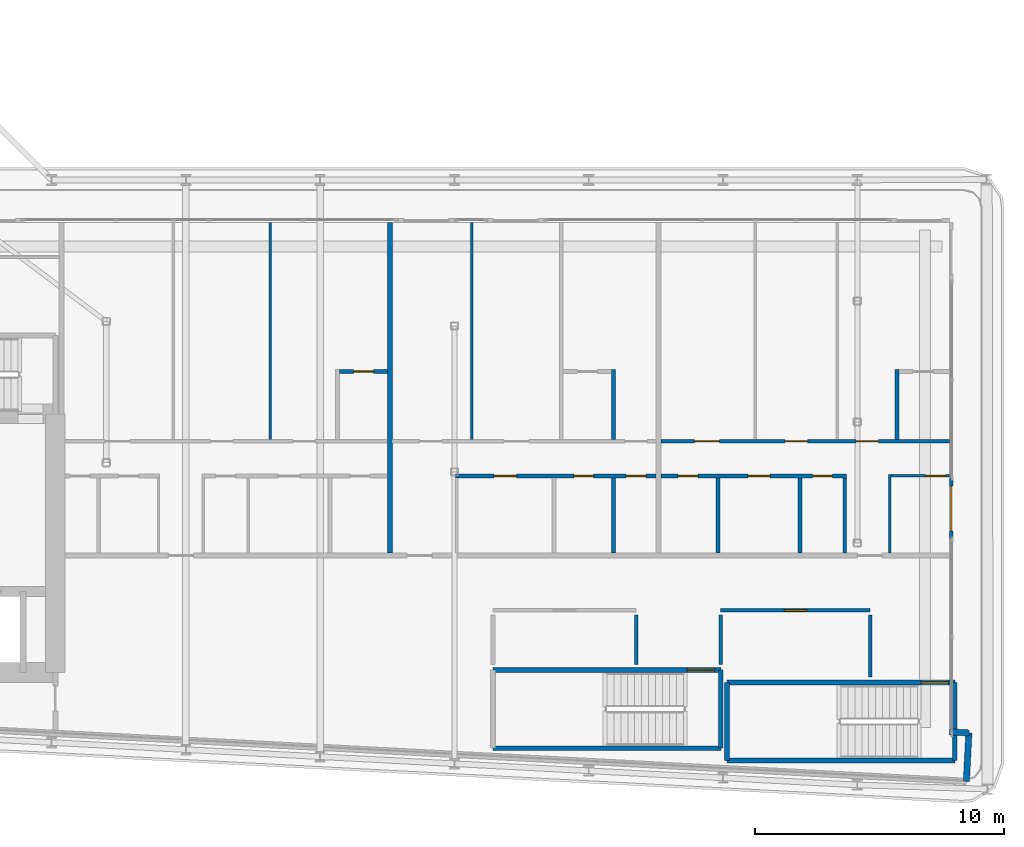
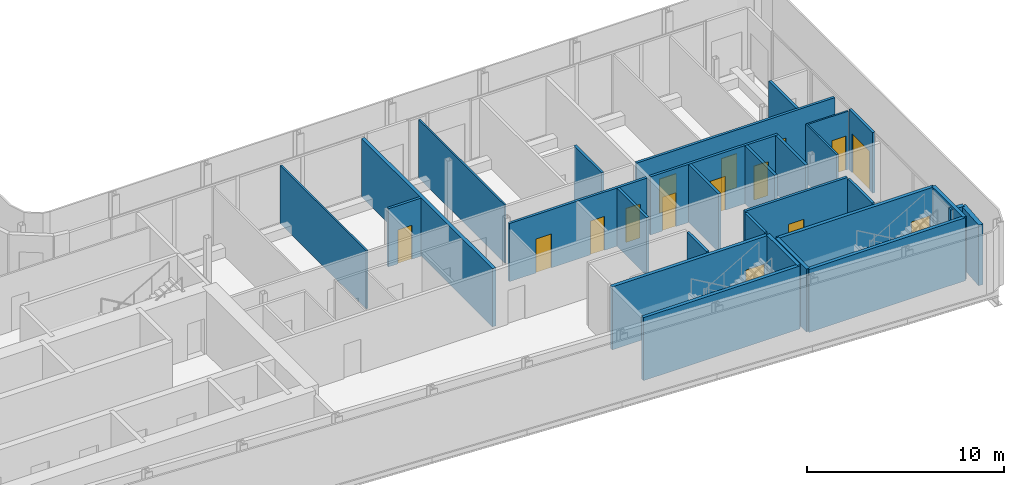
# One storey, part 13 of 24: 29 walls, 15 doors, 15 openings.
"""IFC4 building model written with IfcOpenShell, lengths in metres."""

from ifc_helpers import new_model, si_unit, direction, frame, frame_2d, origin, place, context, subcontext, project, spatial, rectangle, extrude, source, transform, mapped, material, layer, layer_set, type_object, element, fill, save


model = new_model("IFC4")

# Units and contexts
model_context = context("Model", 3, precision=1e-05, world=origin(), true_north=direction((0.0, 1.0)))
body_context = subcontext(model_context, "Body", "Model", "MODEL_VIEW")
ifc_project = project(units=[si_unit("LENGTHUNIT", "METRE"), si_unit("AREAUNIT", "SQUARE_METRE"), si_unit("VOLUMEUNIT", "CUBIC_METRE"), si_unit("PLANEANGLEUNIT", "RADIAN"), si_unit("MASSUNIT", "GRAM", prefix="KILO")], contexts=[model_context])

# Site, building, storey
site_placement = place(None, origin())
site = spatial("IfcSite", under=ifc_project, at=site_placement, CompositionType="ELEMENT")
building_placement = place(site_placement, origin())
building = spatial("IfcBuilding", under=site, at=building_placement, Name="Kheshtan School and Residences Tower", CompositionType="ELEMENT")
storey_placement = place(building_placement, frame((0.0, 0.0, 160.39990234375)))
storey = spatial("IfcBuildingStorey", under=building, at=storey_placement, Name="L37", CompositionType="ELEMENT", Elevation=160.39990234375)

# Walls
ifc_material_1 = material(Name="Concrete C40/50 with ceramic cladding and mineral wool insulation", Category="concrete")
ifc_layer_1 = layer(ifc_material_1, 0.25)
ifc_layer_set_1 = layer_set([ifc_layer_1], Name="External wall 250 ceramic clad")
wall_type_1 = type_object("IfcWallType", Name="External wall 250 ceramic clad", PredefinedType="SOLIDWALL", material=ifc_layer_set_1)
wall_1_placement = place(storey_placement, frame((89.10693359375, 23.407958984375, 0.0), z_axis=(0.0, 0.0, 1.0), x_axis=(0.998561284263, -0.053622398031, 0.0)))
element("IfcWall", 1, at=wall_1_placement, inside=storey, type_object=wall_type_1, Name="External wall L37 14", PredefinedType="SOLIDWALL", context=body_context, shape_type="SweptSolid", body=[
    extrude(rectangle(XDim=0.783203125, YDim=0.25, at=frame_2d((0.3916015625, 0.0))), origin(), (0.0, 0.0, 1.0), 3.75),
])
wall_2_placement = place(storey_placement, frame((89.888916015625, 23.365966796875, 0.0), z_axis=(0.0, 0.0, 1.0), x_axis=(-0.052841433274, -0.998602915542, 0.0)))
element("IfcWall", 2, at=wall_2_placement, inside=storey, type_object=wall_type_1, Name="External wall L37 15", PredefinedType="SOLIDWALL", context=body_context, shape_type="SweptSolid", body=[
    extrude(rectangle(XDim=1.94970703125, YDim=0.25, at=frame_2d((0.974853515625, 0.0))), origin(), (0.0, 0.0, 1.0), 3.75),
])

# Wall, opening, door
ifc_material_2 = material(Name="Aluminium frame wall with insulated infill", Category="aluminium")
ifc_layer_2 = layer(ifc_material_2, 0.14990234375)
ifc_layer_set_2 = layer_set([ifc_layer_2], Name="Glazing frame wall 150")
wall_type_2 = type_object("IfcWallType", Name="Glazing frame wall 150", PredefinedType="SOLIDWALL", material=ifc_layer_set_2)
wall_3_placement = place(storey_placement, frame((89.175048828125, 33.591064453125, 0.0), z_axis=(0.0, 0.0, 1.0), x_axis=(0.0, -1.0, 0.0)))
wall_3 = element("IfcWall", 3, at=wall_3_placement, inside=storey, type_object=wall_type_2, Name="Balcony door wall L37 13.2", PredefinedType="SOLIDWALL", context=body_context, shape_type="SweptSolid", body=[
    extrude(rectangle(XDim=2.400146484375, YDim=0.14990234375, at=frame_2d((1.2001953125, 0.0))), origin(), (0.0, 0.0, 1.0), 3.75),
])
opening_1_placement = place(wall_3_placement, frame((0.300048828125, 0.0, 0.0)))
opening_1 = element("IfcOpeningElement", 4, at=opening_1_placement, cuts=wall_3, Name="Opening BD", PredefinedType="OPENING", context=body_context, shape_type="SweptSolid", body=[
    extrude(rectangle(XDim=1.800048828125, YDim=2.39990234375, at=frame_2d((0.89990234375, 1.199951171875))), frame((0.0, 0.0849609375, 0.0), z_axis=(0.0, -1.0, 0.0), x_axis=(1.0, 0.0, 0.0)), (0.0, 0.0, 1.0), 0.169921875),
])
ifc_material_3 = material(Name="Clear low-e glass in thermally broken aluminium frame", Category="aluminium")
door_type_1 = type_object("IfcDoorType", Name="Balcony sliding door", OperationType="SLIDING_TO_LEFT", PredefinedType="DOOR", material=ifc_material_3)
shared_shape_1 = source(origin(), body_context, "Body", "SweptSolid", [
    extrude(rectangle(XDim=1.800048828125, YDim=2.39990234375, at=frame_2d((0.89990234375, 1.199951171875))), frame((0.0, 0.02490234375, 0.0), z_axis=(0.0, -1.0, 0.0), x_axis=(1.0, 0.0, 0.0)), (0.0, 0.0, 1.0), 0.050048828125),
])
door_1_placement = place(opening_1_placement, origin())
door_1 = element("IfcDoor", 5, at=door_1_placement, inside=storey, type_object=door_type_1, Name="Balcony door L37 13.2", OperationType="SLIDING_TO_LEFT", OverallHeight=2.39990234375, OverallWidth=1.800048828125, PredefinedType="DOOR", context=body_context, shape_type="MappedRepresentation", body=[
    mapped(shared_shape_1, transform((0.0, 0.0, 0.0), x_axis=(1.0, 0.0, 0.0), y_axis=(0.0, 1.0, 0.0), z_axis=(0.0, 0.0, 1.0), scale=1.0)),
])
fill(opening_1, door_1)

# Walls
ifc_material_4 = material(Name="Gypsum board on steel studs", Category="steel")
ifc_layer_3 = layer(ifc_material_4, 0.10009765625)
ifc_layer_set_3 = layer_set([ifc_layer_3], Name="Gypsum partition 100")
wall_type_3 = type_object("IfcWallType", Name="Gypsum partition 100", PredefinedType="PARTITIONING", material=ifc_layer_set_3)
for number, where, z_axis, x_axis, name in (
    (6, (61.800048828125, 35.175048828125, 0.0), (0.0, 0.0, 1.0), (0.0, 1.0, 0.0), "Partition L37-046"),
    (7, (69.89990234375, 35.175048828125, 0.0), (0.0, 0.0, 1.0), (0.0, 1.0, 0.0), "Partition L37-054"),
):
    element("IfcWall", number, at=place(storey_placement, frame(where, z_axis=z_axis, x_axis=x_axis)), inside=storey, type_object=wall_type_3, Name=name, PredefinedType="PARTITIONING", context=body_context, shape_type="SweptSolid", body=[
        extrude(rectangle(XDim=8.724853515625, YDim=0.10009765625, at=frame_2d((4.3623046875, 0.0))), origin(), (0.0, 0.0, 1.0), 3.60009765625),
    ])
wall_4_placement = place(storey_placement, frame((86.699951171875, 30.60009765625, 0.0), z_axis=(0.0, 0.0, 1.0), x_axis=(0.0, 1.0, 0.0)))
element("IfcWall", 8, at=wall_4_placement, inside=storey, type_object=wall_type_3, Name="Partition L37-068", PredefinedType="PARTITIONING", context=body_context, shape_type="SweptSolid", body=[
    extrude(rectangle(XDim=3.14990234375, YDim=0.10009765625, at=frame_2d((1.574951171875, 0.0))), origin(), (0.0, 0.0, 1.0), 3.60009765625),
])

# Wall, opening, door
wall_5_placement = place(storey_placement, frame((86.75, 33.699951171875, 0.0), z_axis=(0.0, 0.0, 1.0), x_axis=(1.0, 0.0, 0.0)))
wall_5 = element("IfcWall", 9, at=wall_5_placement, inside=storey, type_object=wall_type_3, Name="Partition L37-069", PredefinedType="PARTITIONING", context=body_context, shape_type="SweptSolid", body=[
    extrude(rectangle(XDim=2.35009765625, YDim=0.10009765625, at=frame_2d((1.175048828125, 0.0))), origin(), (0.0, 0.0, 1.0), 3.60009765625),
])
opening_2_placement = place(wall_5_placement, frame((1.39990234375, 0.0, 0.0)))
opening_2 = element("IfcOpeningElement", 10, at=opening_2_placement, cuts=wall_5, Name="Opening D37-021", PredefinedType="OPENING", context=body_context, shape_type="SweptSolid", body=[
    extrude(rectangle(XDim=0.800048828125, YDim=2.10009765625, at=frame_2d((0.39990234375, 1.050048828125))), frame((0.0, 0.06005859375, 0.0), z_axis=(0.0, -1.0, 0.0), x_axis=(1.0, 0.0, 0.0)), (0.0, 0.0, 1.0), 0.1201171875),
])
ifc_material_5 = material(Name="Veneered timber door leaf", Category="wood")
door_type_2 = type_object("IfcDoorType", Name="Door 800 x 2100", OperationType="SINGLE_SWING_LEFT", PredefinedType="DOOR", material=ifc_material_5)
shared_shape_2 = source(origin(), body_context, "Body", "SweptSolid", [
    extrude(rectangle(XDim=0.800048828125, YDim=2.10009765625, at=frame_2d((0.39990234375, 1.050048828125))), frame((0.0, 0.02490234375, 0.0), z_axis=(0.0, -1.0, 0.0), x_axis=(1.0, 0.0, 0.0)), (0.0, 0.0, 1.0), 0.050048828125),
])
door_2_placement = place(opening_2_placement, origin())
door_2 = element("IfcDoor", 11, at=door_2_placement, inside=storey, type_object=door_type_2, Name="Door D37-021", OperationType="SINGLE_SWING_LEFT", OverallHeight=2.10009765625, OverallWidth=0.800048828125, PredefinedType="DOOR", context=body_context, shape_type="MappedRepresentation", body=[
    mapped(shared_shape_2, transform((0.0, 0.0, 0.0), x_axis=(1.0, 0.0, 0.0), y_axis=(0.0, 1.0, 0.0), z_axis=(0.0, 0.0, 1.0), scale=1.0)),
])
fill(opening_2, door_2)

# Wall
ifc_material_6 = material(Name="Fire-board shaft wall system")
ifc_layer_4 = layer(ifc_material_6, 0.14990234375)
ifc_layer_set_4 = layer_set([ifc_layer_4], Name="Service room wall 150")
wall_type_4 = type_object("IfcWallType", Name="Service room wall 150", PredefinedType="PARTITIONING", material=ifc_layer_set_4)
wall_6_placement = place(storey_placement, frame((76.510009765625, 26.1201171875, 0.0), z_axis=(0.0, 0.0, 1.0), x_axis=(0.0, 1.0, 0.0)))
element("IfcWall", 12, at=wall_6_placement, inside=storey, type_object=wall_type_4, Name="Service room wall", PredefinedType="PARTITIONING", context=body_context, shape_type="SweptSolid", body=[
    extrude(rectangle(XDim=1.98486328125, YDim=0.14990234375, at=frame_2d((0.992431640625, 0.0))), origin(), (0.0, 0.0, 1.0), 3.900146484375),
])

# Wall, opening, door
wall_7_placement = place(storey_placement, frame((79.909912109375, 28.300048828125, 0.0), z_axis=(0.0, 0.0, 1.0), x_axis=(1.0, 0.0, 0.0)))
wall_7 = element("IfcWall", 13, at=wall_7_placement, inside=storey, type_object=wall_type_4, Name="Service room wall", PredefinedType="PARTITIONING", context=body_context, shape_type="SweptSolid", body=[
    extrude(rectangle(XDim=6.010009765625, YDim=0.14990234375, at=frame_2d((3.0048828125, 0.0))), origin(), (0.0, 0.0, 1.0), 3.900146484375),
])
opening_3_placement = place(wall_7_placement, frame((2.554931640625, 0.0, 0.0)))
opening_3 = element("IfcOpeningElement", 14, at=opening_3_placement, cuts=wall_7, Name="Opening SR90", PredefinedType="OPENING", context=body_context, shape_type="SweptSolid", body=[
    extrude(rectangle(XDim=0.89990234375, YDim=2.199951171875, at=frame_2d((0.449951171875, 1.10009765625))), frame((0.0, 0.0849609375, 0.0), z_axis=(0.0, -1.0, 0.0), x_axis=(1.0, 0.0, 0.0)), (0.0, 0.0, 1.0), 0.169921875),
])
ifc_material_7 = material(Name="Steel door leaf, galvanised", Category="steel")
door_type_3 = type_object("IfcDoorType", Name="Service room door 900 steel 90 min", OperationType="SINGLE_SWING_LEFT", PredefinedType="DOOR", material=ifc_material_7)
shared_shape_3 = source(origin(), body_context, "Body", "SweptSolid", [
    extrude(rectangle(XDim=0.89990234375, YDim=2.199951171875, at=frame_2d((0.449951171875, 1.10009765625))), frame((0.0, 0.02490234375, 0.0), z_axis=(0.0, -1.0, 0.0), x_axis=(1.0, 0.0, 0.0)), (0.0, 0.0, 1.0), 0.050048828125),
])
door_3_placement = place(opening_3_placement, origin())
door_3 = element("IfcDoor", 15, at=door_3_placement, inside=storey, type_object=door_type_3, Name="Service room door", OperationType="SINGLE_SWING_LEFT", OverallHeight=2.199951171875, OverallWidth=0.89990234375, PredefinedType="DOOR", context=body_context, shape_type="MappedRepresentation", body=[
    mapped(shared_shape_3, transform((0.0, 0.0, 0.0), x_axis=(1.0, 0.0, 0.0), y_axis=(0.0, 1.0, 0.0), z_axis=(0.0, 0.0, 1.0), scale=1.0)),
])
fill(opening_3, door_3)

# Walls
wall_8_placement = place(storey_placement, frame((79.909912109375, 26.1201171875, 0.0), z_axis=(0.0, 0.0, 1.0), x_axis=(0.0, 1.0, 0.0)))
element("IfcWall", 16, at=wall_8_placement, inside=storey, type_object=wall_type_4, Name="Service room wall", PredefinedType="PARTITIONING", context=body_context, shape_type="SweptSolid", body=[
    extrude(rectangle(XDim=1.98486328125, YDim=0.14990234375, at=frame_2d((0.992431640625, 0.0))), origin(), (0.0, 0.0, 1.0), 3.900146484375),
])
wall_9_placement = place(storey_placement, frame((85.919921875, 25.6201171875, 0.0), z_axis=(0.0, 0.0, 1.0), x_axis=(0.0, 1.0, 0.0)))
element("IfcWall", 17, at=wall_9_placement, inside=storey, type_object=wall_type_4, Name="Service room wall", PredefinedType="PARTITIONING", context=body_context, shape_type="SweptSolid", body=[
    extrude(rectangle(XDim=2.48486328125, YDim=0.14990234375, at=frame_2d((1.242431640625, 0.0))), origin(), (0.0, 0.0, 1.0), 3.900146484375),
])
ifc_material_8 = material(Name="Concrete C40/50", Category="concrete")
ifc_layer_5 = layer(ifc_material_8, 0.199951171875)
ifc_layer_set_5 = layer_set([ifc_layer_5], Name="Stair enclosure wall 200 Concrete C40/50")
wall_type_5 = type_object("IfcWallType", Name="Stair enclosure wall 200 Concrete C40/50", PredefinedType="SHEAR", material=ifc_layer_set_5)
wall_10_placement = place(storey_placement, frame((80.159912109375, 22.25, 0.0), z_axis=(0.0, 0.0, 1.0), x_axis=(1.0, 0.0, 0.0)))
element("IfcWall", 18, at=wall_10_placement, inside=storey, type_object=wall_type_5, Name="Stair enclosure wall ST4", PredefinedType="SHEAR", context=body_context, shape_type="SweptSolid", body=[
    extrude(rectangle(XDim=9.16015625, YDim=0.199951171875, at=frame_2d((4.580078125, 0.0))), origin(), (0.0, 0.0, 1.0), 3.900146484375),
])

# Wall, opening, door
wall_11_placement = place(storey_placement, frame((80.159912109375, 25.39990234375, 0.0), z_axis=(0.0, 0.0, 1.0), x_axis=(1.0, 0.0, 0.0)))
wall_11 = element("IfcWall", 19, at=wall_11_placement, inside=storey, type_object=wall_type_5, Name="Stair enclosure wall ST4", PredefinedType="SHEAR", context=body_context, shape_type="SweptSolid", body=[
    extrude(rectangle(XDim=9.16015625, YDim=0.199951171875, at=frame_2d((4.580078125, 0.0))), origin(), (0.0, 0.0, 1.0), 3.900146484375),
])
opening_4_placement = place(wall_11_placement, frame((7.81005859375, 0.0, 0.0)))
opening_4 = element("IfcOpeningElement", 20, at=opening_4_placement, cuts=wall_11, Name="Opening ST4D", PredefinedType="OPENING", context=body_context, shape_type="SweptSolid", body=[
    extrude(rectangle(XDim=1.10009765625, YDim=2.199951171875, at=frame_2d((0.550048828125, 1.10009765625))), frame((0.0, 0.10986328125, 0.0), z_axis=(0.0, -1.0, 0.0), x_axis=(1.0, 0.0, 0.0)), (0.0, 0.0, 1.0), 0.219970703125),
])
door_type_4 = type_object("IfcDoorType", Name="Stair door 1100 steel 90 min", OperationType="SINGLE_SWING_LEFT", PredefinedType="DOOR", material=ifc_material_7)
shared_shape_4 = source(origin(), body_context, "Body", "SweptSolid", [
    extrude(rectangle(XDim=1.10009765625, YDim=2.199951171875, at=frame_2d((0.550048828125, 1.10009765625))), frame((0.0, 0.02490234375, 0.0), z_axis=(0.0, -1.0, 0.0), x_axis=(1.0, 0.0, 0.0)), (0.0, 0.0, 1.0), 0.050048828125),
])
door_4_placement = place(opening_4_placement, origin())
door_4 = element("IfcDoor", 21, at=door_4_placement, inside=storey, type_object=door_type_4, Name="Stair ST4 door", OperationType="SINGLE_SWING_LEFT", OverallHeight=2.199951171875, OverallWidth=1.10009765625, PredefinedType="DOOR", context=body_context, shape_type="MappedRepresentation", body=[
    mapped(shared_shape_4, transform((0.0, 0.0, 0.0), x_axis=(1.0, 0.0, 0.0), y_axis=(0.0, 1.0, 0.0), z_axis=(0.0, 0.0, 1.0), scale=1.0)),
])
fill(opening_4, door_4)

# Walls
for number, where, z_axis, x_axis, name in (
    (22, (80.159912109375, 22.25, 0.0), (0.0, 0.0, 1.0), (0.0, 1.0, 0.0), "Stair enclosure wall ST4"),
    (23, (89.320068359375, 22.25, 0.0), (0.0, 0.0, 1.0), (0.0, 1.0, 0.0), "Stair enclosure wall ST4"),
):
    element("IfcWall", number, at=place(storey_placement, frame(where, z_axis=z_axis, x_axis=x_axis)), inside=storey, type_object=wall_type_5, Name=name, PredefinedType="SHEAR", context=body_context, shape_type="SweptSolid", body=[
        extrude(rectangle(XDim=3.14990234375, YDim=0.199951171875, at=frame_2d((1.574951171875, 0.0))), origin(), (0.0, 0.0, 1.0), 3.900146484375),
    ])
wall_12_placement = place(storey_placement, frame((70.75, 22.75, 0.0), z_axis=(0.0, 0.0, 1.0), x_axis=(1.0, 0.0, 0.0)))
element("IfcWall", 24, at=wall_12_placement, inside=storey, type_object=wall_type_5, Name="Stair enclosure wall ST5", PredefinedType="SHEAR", context=body_context, shape_type="SweptSolid", body=[
    extrude(rectangle(XDim=9.159912109375, YDim=0.199951171875, at=frame_2d((4.580078125, 0.0))), origin(), (0.0, 0.0, 1.0), 3.900146484375),
])

# Wall, opening, door
wall_13_placement = place(storey_placement, frame((70.75, 25.89990234375, 0.0), z_axis=(0.0, 0.0, 1.0), x_axis=(1.0, 0.0, 0.0)))
wall_13 = element("IfcWall", 25, at=wall_13_placement, inside=storey, type_object=wall_type_5, Name="Stair enclosure wall ST5", PredefinedType="SHEAR", context=body_context, shape_type="SweptSolid", body=[
    extrude(rectangle(XDim=9.159912109375, YDim=0.199951171875, at=frame_2d((4.580078125, 0.0))), origin(), (0.0, 0.0, 1.0), 3.900146484375),
])
opening_5_placement = place(wall_13_placement, frame((7.81005859375, 0.0, 0.0)))
opening_5 = element("IfcOpeningElement", 26, at=opening_5_placement, cuts=wall_13, Name="Opening ST5D", PredefinedType="OPENING", context=body_context, shape_type="SweptSolid", body=[
    extrude(rectangle(XDim=1.10009765625, YDim=2.199951171875, at=frame_2d((0.550048828125, 1.10009765625))), frame((0.0, 0.10986328125, 0.0), z_axis=(0.0, -1.0, 0.0), x_axis=(1.0, 0.0, 0.0)), (0.0, 0.0, 1.0), 0.219970703125),
])
door_5_placement = place(opening_5_placement, origin())
door_5 = element("IfcDoor", 27, at=door_5_placement, inside=storey, type_object=door_type_4, Name="Stair ST5 door", OperationType="SINGLE_SWING_LEFT", OverallHeight=2.199951171875, OverallWidth=1.10009765625, PredefinedType="DOOR", context=body_context, shape_type="MappedRepresentation", body=[
    mapped(shared_shape_4, transform((0.0, 0.0, 0.0), x_axis=(1.0, 0.0, 0.0), y_axis=(0.0, 1.0, 0.0), z_axis=(0.0, 0.0, 1.0), scale=1.0)),
])
fill(opening_5, door_5)

# Walls
wall_14_placement = place(storey_placement, frame((79.909912109375, 22.75, 0.0), z_axis=(0.0, 0.0, 1.0), x_axis=(0.0, 1.0, 0.0)))
element("IfcWall", 28, at=wall_14_placement, inside=storey, type_object=wall_type_5, Name="Stair enclosure wall ST5", PredefinedType="SHEAR", context=body_context, shape_type="SweptSolid", body=[
    extrude(rectangle(XDim=3.14990234375, YDim=0.199951171875, at=frame_2d((1.574951171875, 0.0))), origin(), (0.0, 0.0, 1.0), 3.900146484375),
])
ifc_material_9 = material(Name="Twin gypsum board on steel studs with mineral wool", Category="steel")
ifc_layer_6 = layer(ifc_material_9, 0.199951171875)
ifc_layer_set_6 = layer_set([ifc_layer_6], Name="Unit demising wall 200")
wall_type_6 = type_object("IfcWallType", Name="Unit demising wall 200", PredefinedType="PARTITIONING", material=ifc_layer_set_6)
wall_15_placement = place(storey_placement, frame((66.60009765625, 30.60009765625, 0.0), z_axis=(0.0, 0.0, 1.0), x_axis=(0.0, 1.0, 0.0)))
element("IfcWall", 29, at=wall_15_placement, inside=storey, type_object=wall_type_6, Name="Partition L37-050", PredefinedType="PARTITIONING", context=body_context, shape_type="SweptSolid", body=[
    extrude(rectangle(XDim=13.2998046875, YDim=0.199951171875, at=frame_2d((6.64990234375, 0.0))), origin(), (0.0, 0.0, 1.0), 3.60009765625),
])

# Wall, opening, door
ifc_material_10 = material(Name="Moisture-resistant gypsum board on steel studs", Category="steel")
ifc_layer_7 = layer(ifc_material_10, 0.14990234375)
ifc_layer_set_7 = layer_set([ifc_layer_7], Name="Wet-room partition 150")
wall_type_7 = type_object("IfcWallType", Name="Wet-room partition 150", PredefinedType="PARTITIONING", material=ifc_layer_set_7)
wall_16_placement = place(storey_placement, frame((64.574951171875, 37.89990234375, 0.0), z_axis=(0.0, 0.0, 1.0), x_axis=(1.0, 0.0, 0.0)))
wall_16 = element("IfcWall", 30, at=wall_16_placement, inside=storey, type_object=wall_type_7, Name="Partition L37-049", PredefinedType="PARTITIONING", context=body_context, shape_type="SweptSolid", body=[
    extrude(rectangle(XDim=1.925048828125, YDim=0.14990234375, at=frame_2d((0.96240234375, 0.0))), origin(), (0.0, 0.0, 1.0), 3.60009765625),
])
opening_6_placement = place(wall_16_placement, frame((0.574951171875, 0.0, 0.0)))
opening_6 = element("IfcOpeningElement", 31, at=opening_6_placement, cuts=wall_16, Name="Opening D37-004", PredefinedType="OPENING", context=body_context, shape_type="SweptSolid", body=[
    extrude(rectangle(XDim=0.800048828125, YDim=2.10009765625, at=frame_2d((0.39990234375, 1.050048828125))), frame((0.0, 0.0849609375, 0.0), z_axis=(0.0, -1.0, 0.0), x_axis=(1.0, 0.0, 0.0)), (0.0, 0.0, 1.0), 0.169921875),
])
door_6_placement = place(opening_6_placement, origin())
door_6 = element("IfcDoor", 32, at=door_6_placement, inside=storey, type_object=door_type_2, Name="Door D37-004", OperationType="SINGLE_SWING_LEFT", OverallHeight=2.10009765625, OverallWidth=0.800048828125, PredefinedType="DOOR", context=body_context, shape_type="MappedRepresentation", body=[
    mapped(shared_shape_2, transform((0.0, 0.0, 0.0), x_axis=(1.0, 0.0, 0.0), y_axis=(0.0, 1.0, 0.0), z_axis=(0.0, 0.0, 1.0), scale=1.0)),
])
fill(opening_6, door_6)

# Wall, openings, doors
wall_17_placement = place(storey_placement, frame((69.25, 33.699951171875, 0.0), z_axis=(0.0, 0.0, 1.0), x_axis=(1.0, 0.0, 0.0)))
wall_17 = element("IfcWall", 33, at=wall_17_placement, inside=storey, type_object=wall_type_7, Name="Partition L37-052", PredefinedType="PARTITIONING", context=body_context, shape_type="SweptSolid", body=[
    extrude(rectangle(XDim=8.050048828125, YDim=0.14990234375, at=frame_2d((4.02490234375, 0.0))), origin(), (0.0, 0.0, 1.0), 3.60009765625),
])
opening_7_placement = place(wall_17_placement, frame((4.75, 0.0, 0.0)))
opening_7 = element("IfcOpeningElement", 34, at=opening_7_placement, cuts=wall_17, Name="Opening D37-011", PredefinedType="OPENING", context=body_context, shape_type="SweptSolid", body=[
    extrude(rectangle(XDim=0.800048828125, YDim=2.10009765625, at=frame_2d((0.39990234375, 1.050048828125))), frame((0.0, 0.0849609375, 0.0), z_axis=(0.0, -1.0, 0.0), x_axis=(1.0, 0.0, 0.0)), (0.0, 0.0, 1.0), 0.169921875),
])
opening_8_placement = place(wall_17_placement, frame((1.550048828125, 0.0, 0.0)))
opening_8 = element("IfcOpeningElement", 35, at=opening_8_placement, cuts=wall_17, Name="Opening D37-015", PredefinedType="OPENING", context=body_context, shape_type="SweptSolid", body=[
    extrude(rectangle(XDim=0.89990234375, YDim=2.10009765625, at=frame_2d((0.449951171875, 1.050048828125))), frame((0.0, 0.0849609375, 0.0), z_axis=(0.0, -1.0, 0.0), x_axis=(1.0, 0.0, 0.0)), (0.0, 0.0, 1.0), 0.169921875),
])
opening_9_placement = place(wall_17_placement, frame((6.85009765625, 0.0, 0.0)))
opening_9 = element("IfcOpeningElement", 36, at=opening_9_placement, cuts=wall_17, Name="Opening D37-018", PredefinedType="OPENING", context=body_context, shape_type="SweptSolid", body=[
    extrude(rectangle(XDim=0.800048828125, YDim=2.10009765625, at=frame_2d((0.39990234375, 1.050048828125))), frame((0.0, 0.0849609375, 0.0), z_axis=(0.0, -1.0, 0.0), x_axis=(1.0, 0.0, 0.0)), (0.0, 0.0, 1.0), 0.169921875),
])
door_7_placement = place(opening_7_placement, origin())
door_7 = element("IfcDoor", 37, at=door_7_placement, inside=storey, type_object=door_type_2, Name="Door D37-011", OperationType="SINGLE_SWING_LEFT", OverallHeight=2.10009765625, OverallWidth=0.800048828125, PredefinedType="DOOR", context=body_context, shape_type="MappedRepresentation", body=[
    mapped(shared_shape_2, transform((0.0, 0.0, 0.0), x_axis=(1.0, 0.0, 0.0), y_axis=(0.0, 1.0, 0.0), z_axis=(0.0, 0.0, 1.0), scale=1.0)),
])
fill(opening_7, door_7)
door_8_placement = place(opening_9_placement, origin())
door_8 = element("IfcDoor", 38, at=door_8_placement, inside=storey, type_object=door_type_2, Name="Door D37-018", OperationType="SINGLE_SWING_LEFT", OverallHeight=2.10009765625, OverallWidth=0.800048828125, PredefinedType="DOOR", context=body_context, shape_type="MappedRepresentation", body=[
    mapped(shared_shape_2, transform((0.0, 0.0, 0.0), x_axis=(1.0, 0.0, 0.0), y_axis=(0.0, 1.0, 0.0), z_axis=(0.0, 0.0, 1.0), scale=1.0)),
])
fill(opening_9, door_8)
door_type_5 = type_object("IfcDoorType", Name="Door 900 x 2100", OperationType="SINGLE_SWING_LEFT", PredefinedType="DOOR", material=ifc_material_5)
shared_shape_5 = source(origin(), body_context, "Body", "SweptSolid", [
    extrude(rectangle(XDim=0.89990234375, YDim=2.10009765625, at=frame_2d((0.449951171875, 1.050048828125))), frame((0.0, 0.02490234375, 0.0), z_axis=(0.0, -1.0, 0.0), x_axis=(1.0, 0.0, 0.0)), (0.0, 0.0, 1.0), 0.050048828125),
])
door_9_placement = place(opening_8_placement, origin())
door_9 = element("IfcDoor", 39, at=door_9_placement, inside=storey, type_object=door_type_5, Name="Door D37-015", OperationType="SINGLE_SWING_LEFT", OverallHeight=2.10009765625, OverallWidth=0.89990234375, PredefinedType="DOOR", context=body_context, shape_type="MappedRepresentation", body=[
    mapped(shared_shape_5, transform((0.0, 0.0, 0.0), x_axis=(1.0, 0.0, 0.0), y_axis=(0.0, 1.0, 0.0), z_axis=(0.0, 0.0, 1.0), scale=1.0)),
])
fill(opening_8, door_9)

# Walls
wall_18_placement = place(storey_placement, frame((75.60009765625, 30.60009765625, 0.0), z_axis=(0.0, 0.0, 1.0), x_axis=(0.0, 1.0, 0.0)))
element("IfcWall", 40, at=wall_18_placement, inside=storey, type_object=wall_type_7, Name="Partition L37-058", PredefinedType="PARTITIONING", context=body_context, shape_type="SweptSolid", body=[
    extrude(rectangle(XDim=3.02490234375, YDim=0.14990234375, at=frame_2d((1.512451171875, 0.0))), origin(), (0.0, 0.0, 1.0), 3.60009765625),
])
wall_19_placement = place(storey_placement, frame((75.60009765625, 35.175048828125, 0.0), z_axis=(0.0, 0.0, 1.0), x_axis=(0.0, 1.0, 0.0)))
element("IfcWall", 41, at=wall_19_placement, inside=storey, type_object=wall_type_7, Name="Partition L37-059", PredefinedType="PARTITIONING", context=body_context, shape_type="SweptSolid", body=[
    extrude(rectangle(XDim=2.800048828125, YDim=0.14990234375, at=frame_2d((1.39990234375, 0.0))), origin(), (0.0, 0.0, 1.0), 3.60009765625),
])

# Wall, openings, doors
wall_20_placement = place(storey_placement, frame((77.5, 33.699951171875, 0.0), z_axis=(0.0, 0.0, 1.0), x_axis=(1.0, 0.0, 0.0)))
wall_20 = element("IfcWall", 42, at=wall_20_placement, inside=storey, type_object=wall_type_7, Name="Partition L37-061", PredefinedType="PARTITIONING", context=body_context, shape_type="SweptSolid", body=[
    extrude(rectangle(XDim=7.47509765625, YDim=0.14990234375, at=frame_2d((3.737548828125, 0.0))), origin(), (0.0, 0.0, 1.0), 3.60009765625),
])
opening_10_placement = place(wall_20_placement, frame((0.699951171875, 0.0, 0.0)))
opening_10 = element("IfcOpeningElement", 43, at=opening_10_placement, cuts=wall_20, Name="Opening D37-019", PredefinedType="OPENING", context=body_context, shape_type="SweptSolid", body=[
    extrude(rectangle(XDim=0.800048828125, YDim=2.10009765625, at=frame_2d((0.39990234375, 1.050048828125))), frame((0.0, 0.0849609375, 0.0), z_axis=(0.0, -1.0, 0.0), x_axis=(1.0, 0.0, 0.0)), (0.0, 0.0, 1.0), 0.169921875),
])
opening_11_placement = place(wall_20_placement, frame((3.5, 0.0, 0.0)))
opening_11 = element("IfcOpeningElement", 44, at=opening_11_placement, cuts=wall_20, Name="Opening D37-024", PredefinedType="OPENING", context=body_context, shape_type="SweptSolid", body=[
    extrude(rectangle(XDim=0.89990234375, YDim=2.10009765625, at=frame_2d((0.449951171875, 1.050048828125))), frame((0.0, 0.0849609375, 0.0), z_axis=(0.0, -1.0, 0.0), x_axis=(1.0, 0.0, 0.0)), (0.0, 0.0, 1.0), 0.169921875),
])
opening_12_placement = place(wall_20_placement, frame((6.10009765625, 0.0, 0.0)))
opening_12 = element("IfcOpeningElement", 45, at=opening_12_placement, cuts=wall_20, Name="Opening D37-027", PredefinedType="OPENING", context=body_context, shape_type="SweptSolid", body=[
    extrude(rectangle(XDim=0.800048828125, YDim=2.10009765625, at=frame_2d((0.39990234375, 1.050048828125))), frame((0.0, 0.0849609375, 0.0), z_axis=(0.0, -1.0, 0.0), x_axis=(1.0, 0.0, 0.0)), (0.0, 0.0, 1.0), 0.169921875),
])
door_10_placement = place(opening_10_placement, origin())
door_10 = element("IfcDoor", 46, at=door_10_placement, inside=storey, type_object=door_type_2, Name="Door D37-019", OperationType="SINGLE_SWING_RIGHT", OverallHeight=2.10009765625, OverallWidth=0.800048828125, PredefinedType="DOOR", context=body_context, shape_type="MappedRepresentation", body=[
    mapped(shared_shape_2, transform((0.0, 0.0, 0.0), x_axis=(1.0, 0.0, 0.0), y_axis=(0.0, 1.0, 0.0), z_axis=(0.0, 0.0, 1.0), scale=1.0)),
])
fill(opening_10, door_10)
door_11_placement = place(opening_12_placement, origin())
door_11 = element("IfcDoor", 47, at=door_11_placement, inside=storey, type_object=door_type_2, Name="Door D37-027", OperationType="SINGLE_SWING_RIGHT", OverallHeight=2.10009765625, OverallWidth=0.800048828125, PredefinedType="DOOR", context=body_context, shape_type="MappedRepresentation", body=[
    mapped(shared_shape_2, transform((0.0, 0.0, 0.0), x_axis=(1.0, 0.0, 0.0), y_axis=(0.0, 1.0, 0.0), z_axis=(0.0, 0.0, 1.0), scale=1.0)),
])
fill(opening_12, door_11)
door_12_placement = place(opening_11_placement, origin())
door_12 = element("IfcDoor", 48, at=door_12_placement, inside=storey, type_object=door_type_5, Name="Door D37-024", OperationType="SINGLE_SWING_RIGHT", OverallHeight=2.10009765625, OverallWidth=0.89990234375, PredefinedType="DOOR", context=body_context, shape_type="MappedRepresentation", body=[
    mapped(shared_shape_5, transform((0.0, 0.0, 0.0), x_axis=(1.0, 0.0, 0.0), y_axis=(0.0, 1.0, 0.0), z_axis=(0.0, 0.0, 1.0), scale=1.0)),
])
fill(opening_11, door_12)

wall_21_placement = place(storey_placement, frame((77.5, 35.10009765625, 0.0), z_axis=(0.0, 0.0, 1.0), x_axis=(1.0, 0.0, 0.0)))
wall_21 = element("IfcWall", 49, at=wall_21_placement, inside=storey, type_object=wall_type_7, Name="Partition L37-062", PredefinedType="PARTITIONING", context=body_context, shape_type="SweptSolid", body=[
    extrude(rectangle(XDim=11.60009765625, YDim=0.14990234375, at=frame_2d((5.800048828125, 0.0))), origin(), (0.0, 0.0, 1.0), 3.60009765625),
])
opening_13_placement = place(wall_21_placement, frame((5.0, 0.0, 0.0)))
opening_13 = element("IfcOpeningElement", 50, at=opening_13_placement, cuts=wall_21, Name="Opening D37-020", PredefinedType="OPENING", context=body_context, shape_type="SweptSolid", body=[
    extrude(rectangle(XDim=0.89990234375, YDim=2.10009765625, at=frame_2d((0.449951171875, 1.050048828125))), frame((0.0, 0.0849609375, 0.0), z_axis=(0.0, -1.0, 0.0), x_axis=(1.0, 0.0, 0.0)), (0.0, 0.0, 1.0), 0.169921875),
])
opening_14_placement = place(wall_21_placement, frame((1.35009765625, 0.0, 0.0)))
opening_14 = element("IfcOpeningElement", 51, at=opening_14_placement, cuts=wall_21, Name="Opening D37-025", PredefinedType="OPENING", context=body_context, shape_type="SweptSolid", body=[
    extrude(rectangle(XDim=1.0, YDim=2.10009765625, at=frame_2d((0.5, 1.050048828125))), frame((0.0, 0.0849609375, 0.0), z_axis=(0.0, -1.0, 0.0), x_axis=(1.0, 0.0, 0.0)), (0.0, 0.0, 1.0), 0.169921875),
])
opening_15_placement = place(wall_21_placement, frame((7.85009765625, 0.0, 0.0)))
opening_15 = element("IfcOpeningElement", 52, at=opening_15_placement, cuts=wall_21, Name="Opening D37-026", PredefinedType="OPENING", context=body_context, shape_type="SweptSolid", body=[
    extrude(rectangle(XDim=0.89990234375, YDim=2.10009765625, at=frame_2d((0.449951171875, 1.050048828125))), frame((0.0, 0.0849609375, 0.0), z_axis=(0.0, -1.0, 0.0), x_axis=(1.0, 0.0, 0.0)), (0.0, 0.0, 1.0), 0.169921875),
])
door_type_6 = type_object("IfcDoorType", Name="Door 1000 x 2100", OperationType="SINGLE_SWING_LEFT", PredefinedType="DOOR", material=ifc_material_5)
shared_shape_6 = source(origin(), body_context, "Body", "SweptSolid", [
    extrude(rectangle(XDim=1.0, YDim=2.10009765625, at=frame_2d((0.5, 1.050048828125))), frame((0.0, 0.02490234375, 0.0), z_axis=(0.0, -1.0, 0.0), x_axis=(1.0, 0.0, 0.0)), (0.0, 0.0, 1.0), 0.050048828125),
])
door_13_placement = place(opening_14_placement, origin())
door_13 = element("IfcDoor", 53, at=door_13_placement, inside=storey, type_object=door_type_6, Name="Door D37-025", OperationType="SINGLE_SWING_RIGHT", OverallHeight=2.10009765625, OverallWidth=1.0, PredefinedType="DOOR", context=body_context, shape_type="MappedRepresentation", body=[
    mapped(shared_shape_6, transform((0.0, 0.0, 0.0), x_axis=(1.0, 0.0, 0.0), y_axis=(0.0, 1.0, 0.0), z_axis=(0.0, 0.0, 1.0), scale=1.0)),
])
fill(opening_14, door_13)
door_14_placement = place(opening_13_placement, origin())
door_14 = element("IfcDoor", 54, at=door_14_placement, inside=storey, type_object=door_type_5, Name="Door D37-020", OperationType="SINGLE_SWING_LEFT", OverallHeight=2.10009765625, OverallWidth=0.89990234375, PredefinedType="DOOR", context=body_context, shape_type="MappedRepresentation", body=[
    mapped(shared_shape_5, transform((0.0, 0.0, 0.0), x_axis=(1.0, 0.0, 0.0), y_axis=(0.0, 1.0, 0.0), z_axis=(0.0, 0.0, 1.0), scale=1.0)),
])
fill(opening_13, door_14)
door_15_placement = place(opening_15_placement, origin())
door_15 = element("IfcDoor", 55, at=door_15_placement, inside=storey, type_object=door_type_5, Name="Door D37-026", OperationType="SINGLE_SWING_LEFT", OverallHeight=2.10009765625, OverallWidth=0.89990234375, PredefinedType="DOOR", context=body_context, shape_type="MappedRepresentation", body=[
    mapped(shared_shape_5, transform((0.0, 0.0, 0.0), x_axis=(1.0, 0.0, 0.0), y_axis=(0.0, 1.0, 0.0), z_axis=(0.0, 0.0, 1.0), scale=1.0)),
])
fill(opening_15, door_15)

# Walls
for number, where, z_axis, x_axis, name in (
    (56, (79.800048828125, 30.60009765625, 0.0), (0.0, 0.0, 1.0), (0.0, 1.0, 0.0), "Partition L37-063"),
    (57, (83.10009765625, 30.60009765625, 0.0), (0.0, 0.0, 1.0), (0.0, 1.0, 0.0), "Partition L37-065"),
    (58, (84.89990234375, 30.60009765625, 0.0), (0.0, 0.0, 1.0), (0.0, 1.0, 0.0), "Partition L37-067"),
):
    element("IfcWall", number, at=place(storey_placement, frame(where, z_axis=z_axis, x_axis=x_axis)), inside=storey, type_object=wall_type_7, Name=name, PredefinedType="PARTITIONING", context=body_context, shape_type="SweptSolid", body=[
        extrude(rectangle(XDim=3.02490234375, YDim=0.14990234375, at=frame_2d((1.512451171875, 0.0))), origin(), (0.0, 0.0, 1.0), 3.60009765625),
    ])
wall_22_placement = place(storey_placement, frame((87.0, 35.175048828125, 0.0), z_axis=(0.0, 0.0, 1.0), x_axis=(0.0, 1.0, 0.0)))
element("IfcWall", 59, at=wall_22_placement, inside=storey, type_object=wall_type_7, Name="Partition L37-070", PredefinedType="PARTITIONING", context=body_context, shape_type="SweptSolid", body=[
    extrude(rectangle(XDim=2.800048828125, YDim=0.14990234375, at=frame_2d((1.39990234375, 0.0))), origin(), (0.0, 0.0, 1.0), 3.60009765625),
])

save(model, "model.ifc")
